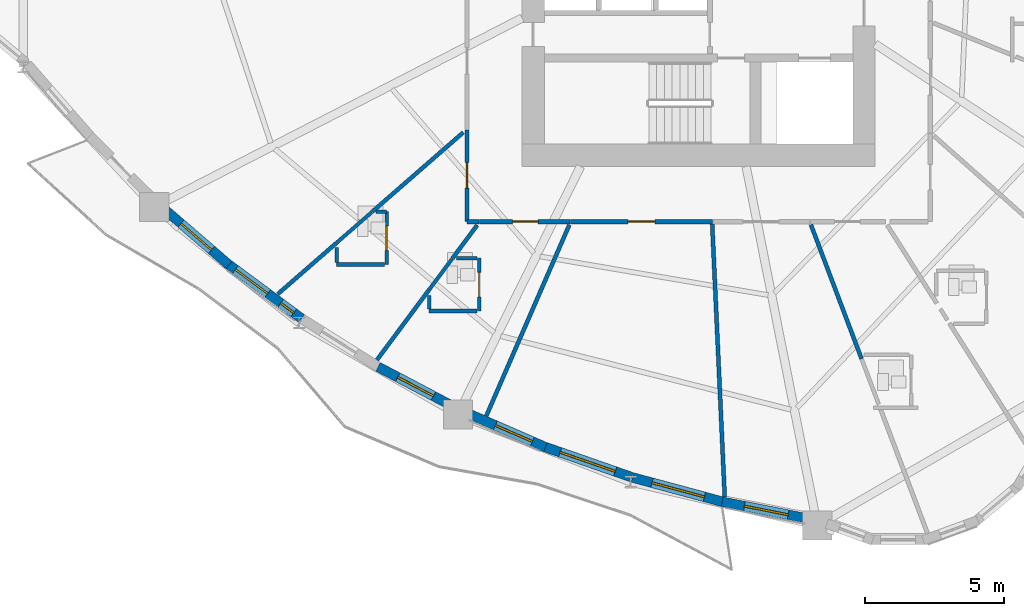
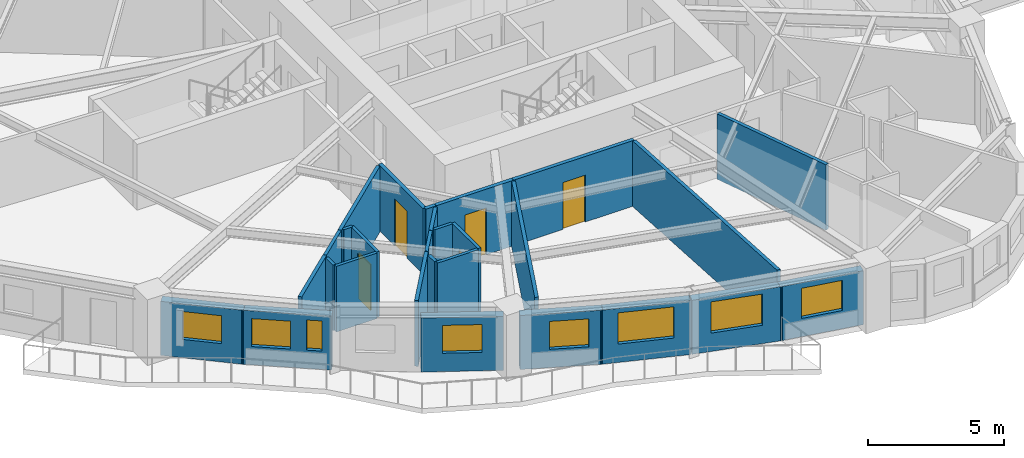
# One storey, part 3 of 15: 28 walls, 8 windows, 5 doors, 13 openings.
"""IFC4 building model written with IfcOpenShell, lengths in metres."""

from ifc_helpers import new_model, si_unit, direction, frame, frame_2d, origin, place, context, subcontext, project, spatial, rectangle, extrude, source, transform, mapped, material, layer, layer_set, type_object, element, fill, save


model = new_model("IFC4")

# Units and contexts
model_context = context("Model", 3, precision=1e-05, world=origin(), true_north=direction((0.0, 1.0)))
body_context = subcontext(model_context, "Body", "Model", "MODEL_VIEW")
ifc_project = project(units=[si_unit("LENGTHUNIT", "METRE"), si_unit("AREAUNIT", "SQUARE_METRE"), si_unit("VOLUMEUNIT", "CUBIC_METRE"), si_unit("PLANEANGLEUNIT", "RADIAN"), si_unit("MASSUNIT", "GRAM", prefix="KILO")], contexts=[model_context])

# Site, building, storey
site_placement = place(None, origin())
site = spatial("IfcSite", under=ifc_project, at=site_placement, CompositionType="ELEMENT")
building_placement = place(site_placement, origin())
building = spatial("IfcBuilding", under=site, at=building_placement, Name="Qafzar Sky-Pleat Residences", CompositionType="ELEMENT")
storey_placement = place(building_placement, frame((0.0, 0.0, 36.60009765625)))
storey = spatial("IfcBuildingStorey", under=building, at=storey_placement, Name="L10", CompositionType="ELEMENT", Elevation=36.60009765625)

# Wall, opening, door
ifc_material_1 = material(Name="Acoustic gypsum plasterboard partition", Category="gypsum")
ifc_layer_1 = layer(ifc_material_1, 0.159912109375)
ifc_layer_set_1 = layer_set([ifc_layer_1], Name="Acoustic gypsum plasterboard partition")
wall_type_1 = type_object("IfcWallType", Name="PART-COR-160", PredefinedType="PARTITIONING", material=ifc_layer_set_1)
wall_1_placement = place(storey_placement, frame((30.84912109375, 15.419921875, 0.0), z_axis=(0.0, 0.0, 1.0), x_axis=(-1.0, 0.0, 0.0)))
wall_1 = element("IfcWall", 1, at=wall_1_placement, inside=storey, type_object=wall_type_1, Name="L10 Partition Wall PART-L10-PW-002", PredefinedType="PARTITIONING", context=body_context, shape_type="SweptSolid", body=[
    extrude(rectangle(XDim=5.114013671875, YDim=0.159912109375, at=frame_2d((2.55712890625, 0.0))), origin(), (0.0, 0.0, 1.0), 2.93994140625),
])
opening_1_placement = place(wall_1_placement, frame((2.075927734375, 0.0, 0.0)))
opening_1 = element("IfcOpeningElement", 2, at=opening_1_placement, cuts=wall_1, Name="Opening ID-06", PredefinedType="OPENING", context=body_context, shape_type="SweptSolid", body=[
    extrude(rectangle(XDim=0.9599609375, YDim=2.10009765625, at=frame_2d((0.47998046875, 1.050048828125))), frame((0.0, 0.08984375, 0.0), z_axis=(0.0, -1.0, 0.0), x_axis=(1.0, 0.0, 0.0)), (0.0, 0.0, 1.0), 0.179931640625),
])
ifc_material_2 = material(Name="Timber-faced fire door", Category="wood")
door_type_1 = type_object("IfcDoorType", Name="DR-STD-960", OperationType="NOTDEFINED", PredefinedType="DOOR", material=ifc_material_2)
shared_shape_1 = source(origin(), body_context, "Body", "SweptSolid", [
    extrude(rectangle(XDim=0.9599609375, YDim=2.10009765625, at=frame_2d((0.47998046875, 1.050048828125))), frame((0.0, 0.02490234375, 0.0), z_axis=(0.0, -1.0, 0.0), x_axis=(1.0, 0.0, 0.0)), (0.0, 0.0, 1.0), 0.050048828125),
])
door_1_placement = place(opening_1_placement, origin())
door_1 = element("IfcDoor", 3, at=door_1_placement, inside=storey, type_object=door_type_1, Name="L10 Reading Library Door", OperationType="SINGLE_SWING_LEFT", OverallHeight=2.10009765625, OverallWidth=0.9599609375, PredefinedType="DOOR", context=body_context, shape_type="MappedRepresentation", body=[
    mapped(shared_shape_1, transform((0.0, 0.0, 0.0), x_axis=(1.0, 0.0, 0.0), y_axis=(0.0, 1.0, 0.0), z_axis=(0.0, 0.0, 1.0), scale=1.0)),
])
fill(opening_1, door_1)

wall_2_placement = place(storey_placement, frame((22.02001953125, 15.419921875, 0.0), z_axis=(0.0, 0.0, 1.0), x_axis=(0.0, 1.0, 0.0)))
wall_2 = element("IfcWall", 4, at=wall_2_placement, inside=storey, type_object=wall_type_1, Name="L10 Partition Wall PART-L10-PW-008", PredefinedType="PARTITIONING", context=body_context, shape_type="SweptSolid", body=[
    extrude(rectangle(XDim=3.287109375, YDim=0.159912109375, at=frame_2d((1.6435546875, 0.0))), origin(), (0.0, 0.0, 1.0), 2.93994140625),
])
opening_2_placement = place(wall_2_placement, frame((1.200927734375, 0.0, 0.0)))
opening_2 = element("IfcOpeningElement", 5, at=opening_2_placement, cuts=wall_2, Name="Opening ID-04", PredefinedType="OPENING", context=body_context, shape_type="SweptSolid", body=[
    extrude(rectangle(XDim=0.919921875, YDim=2.10009765625, at=frame_2d((0.4599609375, 1.050048828125))), frame((0.0, 0.08984375, 0.0), z_axis=(0.0, -1.0, 0.0), x_axis=(1.0, 0.0, 0.0)), (0.0, 0.0, 1.0), 0.179931640625),
])
door_type_2 = type_object("IfcDoorType", Name="DR-BED-920", OperationType="NOTDEFINED", PredefinedType="DOOR", material=ifc_material_2)
shared_shape_2 = source(origin(), body_context, "Body", "SweptSolid", [
    extrude(rectangle(XDim=0.919921875, YDim=2.10009765625, at=frame_2d((0.4599609375, 1.050048828125))), frame((0.0, 0.02490234375, 0.0), z_axis=(0.0, -1.0, 0.0), x_axis=(1.0, 0.0, 0.0)), (0.0, 0.0, 1.0), 0.050048828125),
])
door_2_placement = place(opening_2_placement, origin())
door_2 = element("IfcDoor", 6, at=door_2_placement, inside=storey, type_object=door_type_2, Name="L10 Co-Living Bedroom 1 Door", OperationType="SINGLE_SWING_LEFT", OverallHeight=2.10009765625, OverallWidth=0.919921875, PredefinedType="DOOR", context=body_context, shape_type="MappedRepresentation", body=[
    mapped(shared_shape_2, transform((0.0, 0.0, 0.0), x_axis=(1.0, 0.0, 0.0), y_axis=(0.0, 1.0, 0.0), z_axis=(0.0, 0.0, 1.0), scale=1.0)),
])
fill(opening_2, door_2)

wall_3_placement = place(storey_placement, frame((25.719970703125, 15.419921875, 0.0), z_axis=(0.0, 0.0, 1.0), x_axis=(-1.0, 0.0, 0.0)))
wall_3 = element("IfcWall", 7, at=wall_3_placement, inside=storey, type_object=wall_type_1, Name="L10 Partition Wall PART-L10-PW-009", PredefinedType="PARTITIONING", context=body_context, shape_type="SweptSolid", body=[
    extrude(rectangle(XDim=3.257080078125, YDim=0.159912109375, at=frame_2d((1.62841796875, 0.0))), origin(), (0.0, 0.0, 1.0), 2.93994140625),
])
opening_3_placement = place(wall_3_placement, frame((1.14306640625, 0.0, 0.0)))
opening_3 = element("IfcOpeningElement", 8, at=opening_3_placement, cuts=wall_3, Name="Opening ID-04", PredefinedType="OPENING", context=body_context, shape_type="SweptSolid", body=[
    extrude(rectangle(XDim=0.919921875, YDim=2.10009765625, at=frame_2d((0.4599609375, 1.050048828125))), frame((0.0, 0.08984375, 0.0), z_axis=(0.0, -1.0, 0.0), x_axis=(1.0, 0.0, 0.0)), (0.0, 0.0, 1.0), 0.179931640625),
])
door_3_placement = place(opening_3_placement, origin())
door_3 = element("IfcDoor", 9, at=door_3_placement, inside=storey, type_object=door_type_2, Name="L10 Co-Living Bedroom 2 Door", OperationType="SINGLE_SWING_RIGHT", OverallHeight=2.10009765625, OverallWidth=0.919921875, PredefinedType="DOOR", context=body_context, shape_type="MappedRepresentation", body=[
    mapped(shared_shape_2, transform((0.0, 0.0, 0.0), x_axis=(1.0, 0.0, 0.0), y_axis=(0.0, 1.0, 0.0), z_axis=(0.0, 0.0, 1.0), scale=1.0)),
])
fill(opening_3, door_3)

# Walls
wall_4_placement = place(storey_placement, frame((22.02001953125, 15.419921875, 0.0), z_axis=(0.0, 0.0, 1.0), x_axis=(1.0, 0.0, 0.0)))
element("IfcWall", 10, at=wall_4_placement, inside=storey, type_object=wall_type_1, Name="L10 Partition Wall PART-L10-PW-112", PredefinedType="PARTITIONING", context=body_context, shape_type="SweptSolid", body=[
    extrude(rectangle(XDim=0.427978515625, YDim=0.159912109375, at=frame_2d((0.2138671875, 0.0))), origin(), (0.0, 0.0, 1.0), 2.93994140625),
])
ifc_layer_2 = layer(ifc_material_1, 0.14501953125)
ifc_layer_set_2 = layer_set([ifc_layer_2], Name="Acoustic gypsum plasterboard partition")
wall_type_2 = type_object("IfcWallType", Name="PART-UNIT-145", PredefinedType="PARTITIONING", material=ifc_layer_set_2)
wall_5_placement = place(storey_placement, frame((30.838134765625, 15.32861328125, 0.0), z_axis=(0.0, 0.0, 1.0), x_axis=(0.045777414824, -0.998951664642, 0.0)))
element("IfcWall", 11, at=wall_5_placement, inside=storey, type_object=wall_type_2, Name="L10 Partition Wall PART-L10-PW-041", PredefinedType="PARTITIONING", context=body_context, shape_type="SweptSolid", body=[
    extrude(rectangle(XDim=9.82373046875, YDim=0.14501953125, at=frame_2d((4.911865234375, 0.0))), origin(), (0.0, 0.0, 1.0), 2.93994140625),
])
wall_6_placement = place(storey_placement, frame((22.71337890625, 8.428955078125, 0.0), z_axis=(0.0, 0.0, 1.0), x_axis=(0.398615352261, 0.917118204454, 0.0)))
element("IfcWall", 12, at=wall_6_placement, inside=storey, type_object=wall_type_2, Name="L10 Partition Wall PART-L10-PW-045", PredefinedType="PARTITIONING", context=body_context, shape_type="SweptSolid", body=[
    extrude(rectangle(XDim=7.49609375, YDim=0.14501953125, at=frame_2d((3.748046875, 0.0))), origin(), (0.0, 0.0, 1.0), 2.93994140625),
])
wall_7_placement = place(storey_placement, frame((34.3876953125, 15.306884765625, 0.0), z_axis=(0.0, 0.0, 1.0), x_axis=(0.353313944469, -0.935504813801, 0.0)))
element("IfcWall", 13, at=wall_7_placement, inside=storey, type_object=wall_type_2, Name="L10 Partition Wall PART-L10-PW-050", PredefinedType="PARTITIONING", context=body_context, shape_type="SweptSolid", body=[
    extrude(rectangle(XDim=5.152099609375, YDim=0.14501953125, at=frame_2d((2.576171875, 0.0))), origin(), (0.0, 0.0, 1.0), 2.93994140625),
])
wall_8_placement = place(storey_placement, frame((18.614013671875, 15.77392578125, 0.0), z_axis=(0.0, 0.0, 1.0), x_axis=(0.753902736672, 0.656986045239, 0.0)))
element("IfcWall", 14, at=wall_8_placement, inside=storey, type_object=wall_type_2, Name="L10 Partition Wall PART-L10-PW-052", PredefinedType="PARTITIONING", context=body_context, shape_type="SweptSolid", body=[
    extrude(rectangle(XDim=4.34033203125, YDim=0.14501953125, at=frame_2d((2.170166015625, 0.0))), origin(), (0.0, 0.0, 1.0), 2.93994140625),
])
wall_9_placement = place(storey_placement, frame((18.782958984375, 10.447021484375, 0.0), z_axis=(0.0, 0.0, 1.0), x_axis=(0.596791765516, 0.80239615441, 0.0)))
element("IfcWall", 15, at=wall_9_placement, inside=storey, type_object=wall_type_2, Name="L10 Partition Wall PART-L10-PW-061", PredefinedType="PARTITIONING", context=body_context, shape_type="SweptSolid", body=[
    extrude(rectangle(XDim=3.17041015625, YDim=0.14501953125, at=frame_2d((1.585205078125, 0.0))), origin(), (0.0, 0.0, 1.0), 2.93994140625),
])
wall_10_placement = place(storey_placement, frame((15.215087890625, 12.811767578125, 0.0), z_axis=(0.0, 0.0, 1.0), x_axis=(0.753874404049, 0.657018555993, 0.0)))
element("IfcWall", 16, at=wall_10_placement, inside=storey, type_object=wall_type_2, Name="L10 Partition Wall PART-L10-PW-063", PredefinedType="PARTITIONING", context=body_context, shape_type="SweptSolid", body=[
    extrude(rectangle(XDim=2.805419921875, YDim=0.14501953125, at=frame_2d((1.40283203125, 0.0))), origin(), (0.0, 0.0, 1.0), 2.93994140625),
])
wall_11_placement = place(storey_placement, frame((21.490966796875, 14.087890625, 0.0), z_axis=(0.0, 0.0, 1.0), x_axis=(0.596893728005, 0.802320308523, 0.0)))
element("IfcWall", 17, at=wall_11_placement, inside=storey, type_object=wall_type_2, Name="L10 Partition Wall PART-L10-PW-085", PredefinedType="PARTITIONING", context=body_context, shape_type="SweptSolid", body=[
    extrude(rectangle(XDim=1.49853515625, YDim=0.14501953125, at=frame_2d((0.749267578125, 0.0))), origin(), (0.0, 0.0, 1.0), 2.93994140625),
])

# Wall, opening, door
ifc_material_3 = material(Name="Moisture-resistant gypsum partition", Category="gypsum")
ifc_layer_3 = layer(ifc_material_3, 0.1298828125)
ifc_layer_set_3 = layer_set([ifc_layer_3], Name="Moisture-resistant gypsum partition")
wall_type_3 = type_object("IfcWallType", Name="PART-WET-130", PredefinedType="PARTITIONING", material=ifc_layer_set_3)
wall_12_placement = place(storey_placement, frame((22.4599609375, 12.202880859375, 0.0), z_axis=(0.0, 0.0, 1.0), x_axis=(0.0, 1.0, 0.0)))
wall_12 = element("IfcWall", 18, at=wall_12_placement, inside=storey, type_object=wall_type_3, Name="L10 Partition Wall PART-L10-PW-021", PredefinedType="PARTITIONING", context=body_context, shape_type="SweptSolid", body=[
    extrude(rectangle(XDim=1.900146484375, YDim=0.1298828125, at=frame_2d((0.9501953125, 0.0))), origin(), (0.0, 0.0, 1.0), 2.93994140625),
])
opening_4_placement = place(wall_12_placement, frame((0.510009765625, 0.0, 0.0)))
opening_4 = element("IfcOpeningElement", 19, at=opening_4_placement, cuts=wall_12, Name="Opening ID-07", PredefinedType="OPENING", context=body_context, shape_type="SweptSolid", body=[
    extrude(rectangle(XDim=0.8798828125, YDim=2.050048828125, at=frame_2d((0.43994140625, 1.02490234375))), frame((0.0, 0.074951171875, 0.0), z_axis=(0.0, -1.0, 0.0), x_axis=(1.0, 0.0, 0.0)), (0.0, 0.0, 1.0), 0.14990234375),
])
door_type_3 = type_object("IfcDoorType", Name="DR-WET-880", OperationType="NOTDEFINED", PredefinedType="DOOR", material=ifc_material_2)
shared_shape_3 = source(origin(), body_context, "Body", "SweptSolid", [
    extrude(rectangle(XDim=0.8798828125, YDim=2.050048828125, at=frame_2d((0.43994140625, 1.02490234375))), frame((0.0, 0.02490234375, 0.0), z_axis=(0.0, -1.0, 0.0), x_axis=(1.0, 0.0, 0.0)), (0.0, 0.0, 1.0), 0.050048828125),
])
door_4_placement = place(opening_4_placement, origin())
door_4 = element("IfcDoor", 20, at=door_4_placement, inside=storey, type_object=door_type_3, Name="L10 En-suite Bathroom 2 Door", OperationType="SINGLE_SWING_LEFT", OverallHeight=2.050048828125, OverallWidth=0.8798828125, PredefinedType="DOOR", context=body_context, shape_type="MappedRepresentation", body=[
    mapped(shared_shape_3, transform((0.0, 0.0, 0.0), x_axis=(1.0, 0.0, 0.0), y_axis=(0.0, 1.0, 0.0), z_axis=(0.0, 0.0, 1.0), scale=1.0)),
])
fill(opening_4, door_4)

wall_13_placement = place(storey_placement, frame((19.1298828125, 13.8740234375, 0.0), z_axis=(0.0, 0.0, 1.0), x_axis=(0.0, 1.0, 0.0)))
wall_13 = element("IfcWall", 21, at=wall_13_placement, inside=storey, type_object=wall_type_3, Name="L10 Partition Wall PART-L10-PW-024", PredefinedType="PARTITIONING", context=body_context, shape_type="SweptSolid", body=[
    extrude(rectangle(XDim=1.89990234375, YDim=0.1298828125, at=frame_2d((0.949951171875, 0.0))), origin(), (0.0, 0.0, 1.0), 2.93994140625),
])
opening_5_placement = place(wall_13_placement, frame((0.510009765625, 0.0, 0.0)))
opening_5 = element("IfcOpeningElement", 22, at=opening_5_placement, cuts=wall_13, Name="Opening ID-07", PredefinedType="OPENING", context=body_context, shape_type="SweptSolid", body=[
    extrude(rectangle(XDim=0.8798828125, YDim=2.050048828125, at=frame_2d((0.43994140625, 1.02490234375))), frame((0.0, 0.074951171875, 0.0), z_axis=(0.0, -1.0, 0.0), x_axis=(1.0, 0.0, 0.0)), (0.0, 0.0, 1.0), 0.14990234375),
])
door_5_placement = place(opening_5_placement, origin())
door_5 = element("IfcDoor", 23, at=door_5_placement, inside=storey, type_object=door_type_3, Name="L10 En-suite Bathroom 1 Door", OperationType="SINGLE_SWING_RIGHT", OverallHeight=2.050048828125, OverallWidth=0.8798828125, PredefinedType="DOOR", context=body_context, shape_type="MappedRepresentation", body=[
    mapped(shared_shape_3, transform((0.0, 0.0, 0.0), x_axis=(1.0, 0.0, 0.0), y_axis=(0.0, 1.0, 0.0), z_axis=(0.0, 0.0, 1.0), scale=1.0)),
])
fill(opening_5, door_5)

# Walls
wall_14_placement = place(storey_placement, frame((17.330078125, 13.8740234375, 0.0), z_axis=(0.0, 0.0, 1.0), x_axis=(1.0, 0.0, 0.0)))
element("IfcWall", 24, at=wall_14_placement, inside=storey, type_object=wall_type_3, Name="L10 Partition Wall PART-L10-PW-077", PredefinedType="PARTITIONING", context=body_context, shape_type="SweptSolid", body=[
    extrude(rectangle(XDim=1.726806640625, YDim=0.1298828125, at=frame_2d((0.86328125, 0.0))), origin(), (0.0, 0.0, 1.0), 2.93994140625),
])
wall_15_placement = place(storey_placement, frame((20.659912109375, 12.202880859375, 0.0), z_axis=(0.0, 0.0, 1.0), x_axis=(1.0, 0.0, 0.0)))
element("IfcWall", 25, at=wall_15_placement, inside=storey, type_object=wall_type_3, Name="L10 Partition Wall PART-L10-PW-078", PredefinedType="PARTITIONING", context=body_context, shape_type="SweptSolid", body=[
    extrude(rectangle(XDim=1.72705078125, YDim=0.1298828125, at=frame_2d((0.863525390625, 0.0))), origin(), (0.0, 0.0, 1.0), 2.93994140625),
])
wall_16_placement = place(storey_placement, frame((17.34130859375, 14.664794921875, 0.0), z_axis=(0.0, 0.0, 1.0), x_axis=(0.753885757535, 0.657005528581, 0.0)))
element("IfcWall", 26, at=wall_16_placement, inside=storey, type_object=wall_type_3, Name="L10 Partition Wall PART-L10-PW-083", PredefinedType="PARTITIONING", context=body_context, shape_type="SweptSolid", body=[
    extrude(rectangle(XDim=1.67333984375, YDim=0.1298828125, at=frame_2d((0.836669921875, 0.0))), origin(), (0.0, 0.0, 1.0), 2.93994140625),
])
wall_17_placement = place(storey_placement, frame((20.68408203125, 13.002685546875, 0.0), z_axis=(0.0, 0.0, 1.0), x_axis=(0.596518903615, 0.802599026681, 0.0)))
element("IfcWall", 27, at=wall_17_placement, inside=storey, type_object=wall_type_3, Name="L10 Partition Wall PART-L10-PW-091", PredefinedType="PARTITIONING", context=body_context, shape_type="SweptSolid", body=[
    extrude(rectangle(XDim=1.33740234375, YDim=0.1298828125, at=frame_2d((0.668701171875, 0.0))), origin(), (0.0, 0.0, 1.0), 2.93994140625),
])
wall_18_placement = place(storey_placement, frame((21.648681640625, 14.10302734375, 0.0), z_axis=(0.0, 0.0, 1.0), x_axis=(1.0, 0.0, 0.0)))
element("IfcWall", 28, at=wall_18_placement, inside=storey, type_object=wall_type_3, Name="L10 Partition Wall PART-L10-PW-102", PredefinedType="PARTITIONING", context=body_context, shape_type="SweptSolid", body=[
    extrude(rectangle(XDim=0.73828125, YDim=0.1298828125, at=frame_2d((0.369140625, 0.0))), origin(), (0.0, 0.0, 1.0), 2.93994140625),
])
wall_19_placement = place(storey_placement, frame((17.330078125, 13.947021484375, 0.0), z_axis=(0.0, 0.0, 1.0), x_axis=(0.0, 1.0, 0.0)))
element("IfcWall", 29, at=wall_19_placement, inside=storey, type_object=wall_type_3, Name="L10 Partition Wall PART-L10-PW-106", PredefinedType="PARTITIONING", context=body_context, shape_type="SweptSolid", body=[
    extrude(rectangle(XDim=0.547119140625, YDim=0.1298828125, at=frame_2d((0.2734375, 0.0))), origin(), (0.0, 0.0, 1.0), 2.93994140625),
])
wall_20_placement = place(storey_placement, frame((20.659912109375, 12.27587890625, 0.0), z_axis=(0.0, 0.0, 1.0), x_axis=(0.0, 1.0, 0.0)))
element("IfcWall", 30, at=wall_20_placement, inside=storey, type_object=wall_type_3, Name="L10 Partition Wall PART-L10-PW-107", PredefinedType="PARTITIONING", context=body_context, shape_type="SweptSolid", body=[
    extrude(rectangle(XDim=0.478271484375, YDim=0.1298828125, at=frame_2d((0.2392578125, 0.0))), origin(), (0.0, 0.0, 1.0), 2.93994140625),
])
wall_21_placement = place(storey_placement, frame((18.7490234375, 15.77392578125, 0.0), z_axis=(0.0, 0.0, 1.0), x_axis=(1.0, 0.0, 0.0)))
element("IfcWall", 31, at=wall_21_placement, inside=storey, type_object=wall_type_3, Name="L10 Partition Wall PART-L10-PW-109", PredefinedType="PARTITIONING", context=body_context, shape_type="SweptSolid", body=[
    extrude(rectangle(XDim=0.380859375, YDim=0.1298828125, at=frame_2d((0.1904296875, 0.0))), origin(), (0.0, 0.0, 1.0), 2.93994140625),
])

# Wall, opening, window
ifc_material_4 = material(Name="Precast concrete C40/50 with honed Riyadh limestone", Category="concrete")
ifc_layer_4 = layer(ifc_material_4, 0.35009765625)
ifc_layer_set_4 = layer_set([ifc_layer_4], Name="Precast concrete C40/50 with honed Riyadh limestone")
wall_type_4 = type_object("IfcWallType", Name="WALL-EXT-350", PredefinedType="SOLIDWALL", material=ifc_layer_set_4)
wall_22_placement = place(storey_placement, frame((11.11474609375, 15.880859375, 0.0), z_axis=(0.0, 0.0, 1.0), x_axis=(0.757448984216, -0.6528943531, 0.0)))
wall_22 = element("IfcWall", 32, at=wall_22_placement, inside=storey, type_object=wall_type_4, Name="L10 Limestone Facade Wall 9", PredefinedType="SOLIDWALL", context=body_context, shape_type="SweptSolid", body=[
    extrude(rectangle(XDim=3.093994140625, YDim=0.35009765625, at=frame_2d((1.546875, 0.0))), origin(), (0.0, 0.0, 1.0), 2.419921875),
])
opening_6_placement = place(wall_22_placement, frame((0.81689453125, 0.0, 0.820068359375)))
opening_6 = element("IfcOpeningElement", 33, at=opening_6_placement, cuts=wall_22, Name="Opening WN-15", PredefinedType="OPENING", context=body_context, shape_type="SweptSolid", body=[
    extrude(rectangle(XDim=1.449951171875, YDim=1.25, at=frame_2d((0.72509765625, 0.625))), frame((0.0, 0.18505859375, 0.0), z_axis=(0.0, -1.0, 0.0), x_axis=(1.0, 0.0, 0.0)), (0.0, 0.0, 1.0), 0.3701171875),
])
ifc_material_5 = material(Name="Solar-control low-E glass in bronze aluminium frame", Category="glass")
window_type_1 = type_object("IfcWindowType", Name="WIN-15", PartitioningType="SINGLE_PANEL", PredefinedType="WINDOW", material=ifc_material_5)
shared_shape_4 = source(origin(), body_context, "Body", "SweptSolid", [
    extrude(rectangle(XDim=1.449951171875, YDim=1.25, at=frame_2d((0.72509765625, 0.625))), frame((0.0, 0.030029296875, 0.0), z_axis=(0.0, -1.0, 0.0), x_axis=(1.0, 0.0, 0.0)), (0.0, 0.0, 1.0), 0.06005859375),
])
window_1_placement = place(opening_6_placement, origin())
window_1 = element("IfcWindow", 34, at=window_1_placement, inside=storey, type_object=window_type_1, Name="L10 Punched Facade Window 09", OverallHeight=1.25, OverallWidth=1.449951171875, PartitioningType="SINGLE_PANEL", PredefinedType="WINDOW", context=body_context, shape_type="MappedRepresentation", body=[
    mapped(shared_shape_4, transform((0.0, 0.0, 0.0), x_axis=(1.0, 0.0, 0.0), y_axis=(0.0, 1.0, 0.0), z_axis=(0.0, 0.0, 1.0), scale=1.0)),
])
fill(opening_6, window_1)

# Wall, openings, windows
wall_23_placement = place(storey_placement, frame((13.388916015625, 13.91650390625, 0.0), z_axis=(0.0, 0.0, 1.0), x_axis=(0.803777512245, -0.594930004966, 0.0)))
wall_23 = element("IfcWall", 35, at=wall_23_placement, inside=storey, type_object=wall_type_4, Name="L10 Limestone Facade Wall 10", PredefinedType="SOLIDWALL", context=body_context, shape_type="SweptSolid", body=[
    extrude(rectangle(XDim=3.336181640625, YDim=0.35009765625, at=frame_2d((1.66796875, 0.0))), origin(), (0.0, 0.0, 1.0), 2.419921875),
])
opening_7_placement = place(wall_23_placement, frame((0.373779296875, 0.0, 0.820068359375)))
opening_7 = element("IfcOpeningElement", 36, at=opening_7_placement, cuts=wall_23, Name="Opening WN-15", PredefinedType="OPENING", context=body_context, shape_type="SweptSolid", body=[
    extrude(rectangle(XDim=1.449951171875, YDim=1.25, at=frame_2d((0.72509765625, 0.625))), frame((0.0, 0.18505859375, 0.0), z_axis=(0.0, -1.0, 0.0), x_axis=(1.0, 0.0, 0.0)), (0.0, 0.0, 1.0), 0.3701171875),
])
opening_8_placement = place(wall_23_placement, frame((2.406982421875, 0.0, 0.820068359375)))
opening_8 = element("IfcOpeningElement", 37, at=opening_8_placement, cuts=wall_23, Name="Opening WN-17", PredefinedType="OPENING", context=body_context, shape_type="SweptSolid", body=[
    extrude(rectangle(XDim=0.580078125, YDim=1.35009765625, at=frame_2d((0.2900390625, 0.675048828125))), frame((0.0, 0.18505859375, 0.0), z_axis=(0.0, -1.0, 0.0), x_axis=(1.0, 0.0, 0.0)), (0.0, 0.0, 1.0), 0.3701171875),
])
window_2_placement = place(opening_7_placement, origin())
window_2 = element("IfcWindow", 38, at=window_2_placement, inside=storey, type_object=window_type_1, Name="L10 Punched Facade Window 10", OverallHeight=1.25, OverallWidth=1.449951171875, PartitioningType="SINGLE_PANEL", PredefinedType="WINDOW", context=body_context, shape_type="MappedRepresentation", body=[
    mapped(shared_shape_4, transform((0.0, 0.0, 0.0), x_axis=(1.0, 0.0, 0.0), y_axis=(0.0, 1.0, 0.0), z_axis=(0.0, 0.0, 1.0), scale=1.0)),
])
fill(opening_7, window_2)
window_type_2 = type_object("IfcWindowType", Name="WIN-17", PartitioningType="SINGLE_PANEL", PredefinedType="WINDOW", material=ifc_material_5)
shared_shape_5 = source(origin(), body_context, "Body", "SweptSolid", [
    extrude(rectangle(XDim=0.580078125, YDim=1.35009765625, at=frame_2d((0.2900390625, 0.675048828125))), frame((0.0, 0.030029296875, 0.0), z_axis=(0.0, -1.0, 0.0), x_axis=(1.0, 0.0, 0.0)), (0.0, 0.0, 1.0), 0.06005859375),
])
window_3_placement = place(opening_8_placement, origin())
window_3 = element("IfcWindow", 39, at=window_3_placement, inside=storey, type_object=window_type_2, Name="L10 Punched Facade Window 10-2", OverallHeight=1.35009765625, OverallWidth=0.580078125, PartitioningType="SINGLE_PANEL", PredefinedType="WINDOW", context=body_context, shape_type="MappedRepresentation", body=[
    mapped(shared_shape_5, transform((0.0, 0.0, 0.0), x_axis=(1.0, 0.0, 0.0), y_axis=(0.0, 1.0, 0.0), z_axis=(0.0, 0.0, 1.0), scale=1.0)),
])
fill(opening_8, window_3)

# Wall, opening, window
wall_24_placement = place(storey_placement, frame((18.8232421875, 10.194580078125, 0.0), z_axis=(0.0, 0.0, 1.0), x_axis=(0.884422538795, -0.466687018108, 0.0)))
wall_24 = element("IfcWall", 40, at=wall_24_placement, inside=storey, type_object=wall_type_4, Name="L10 Limestone Facade Wall 12", PredefinedType="SOLIDWALL", context=body_context, shape_type="SweptSolid", body=[
    extrude(rectangle(XDim=3.037353515625, YDim=0.35009765625, at=frame_2d((1.5185546875, 0.0))), origin(), (0.0, 0.0, 1.0), 2.419921875),
])
opening_9_placement = place(wall_24_placement, frame((0.798583984375, 0.0, 0.820068359375)))
opening_9 = element("IfcOpeningElement", 41, at=opening_9_placement, cuts=wall_24, Name="Opening WN-15", PredefinedType="OPENING", context=body_context, shape_type="SweptSolid", body=[
    extrude(rectangle(XDim=1.449951171875, YDim=1.25, at=frame_2d((0.72509765625, 0.625))), frame((0.0, 0.18505859375, 0.0), z_axis=(0.0, -1.0, 0.0), x_axis=(1.0, 0.0, 0.0)), (0.0, 0.0, 1.0), 0.3701171875),
])
window_4_placement = place(opening_9_placement, origin())
window_4 = element("IfcWindow", 42, at=window_4_placement, inside=storey, type_object=window_type_1, Name="L10 Punched Facade Window 12", OverallHeight=1.25, OverallWidth=1.449951171875, PartitioningType="SINGLE_PANEL", PredefinedType="WINDOW", context=body_context, shape_type="MappedRepresentation", body=[
    mapped(shared_shape_4, transform((0.0, 0.0, 0.0), x_axis=(1.0, 0.0, 0.0), y_axis=(0.0, 1.0, 0.0), z_axis=(0.0, 0.0, 1.0), scale=1.0)),
])
fill(opening_9, window_4)

wall_25_placement = place(storey_placement, frame((22.0380859375, 8.523193359375, 0.0), z_axis=(0.0, 0.0, 1.0), x_axis=(0.91704973522, -0.398772846535, 0.0)))
wall_25 = element("IfcWall", 43, at=wall_25_placement, inside=storey, type_object=wall_type_4, Name="L10 Limestone Facade Wall 13", PredefinedType="SOLIDWALL", context=body_context, shape_type="SweptSolid", body=[
    extrude(rectangle(XDim=3.05615234375, YDim=0.35009765625, at=frame_2d((1.528076171875, 0.0))), origin(), (0.0, 0.0, 1.0), 2.419921875),
])
opening_10_placement = place(wall_25_placement, frame((1.091796875, 0.0, 0.820068359375)))
opening_10 = element("IfcOpeningElement", 44, at=opening_10_placement, cuts=wall_25, Name="Opening WN-15", PredefinedType="OPENING", context=body_context, shape_type="SweptSolid", body=[
    extrude(rectangle(XDim=1.449951171875, YDim=1.25, at=frame_2d((0.72509765625, 0.625))), frame((0.0, 0.18505859375, 0.0), z_axis=(0.0, -1.0, 0.0), x_axis=(1.0, 0.0, 0.0)), (0.0, 0.0, 1.0), 0.3701171875),
])
window_5_placement = place(opening_10_placement, origin())
window_5 = element("IfcWindow", 45, at=window_5_placement, inside=storey, type_object=window_type_1, Name="L10 Punched Facade Window 13-2", OverallHeight=1.25, OverallWidth=1.449951171875, PartitioningType="SINGLE_PANEL", PredefinedType="WINDOW", context=body_context, shape_type="MappedRepresentation", body=[
    mapped(shared_shape_4, transform((0.0, 0.0, 0.0), x_axis=(1.0, 0.0, 0.0), y_axis=(0.0, 1.0, 0.0), z_axis=(0.0, 0.0, 1.0), scale=1.0)),
])
fill(opening_10, window_5)

wall_26_placement = place(storey_placement, frame((24.758056640625, 7.3369140625, 0.0), z_axis=(0.0, 0.0, 1.0), x_axis=(0.944146789085, -0.329525174547, 0.0)))
wall_26 = element("IfcWall", 46, at=wall_26_placement, inside=storey, type_object=wall_type_4, Name="L10 Limestone Facade Wall 14", PredefinedType="SOLIDWALL", context=body_context, shape_type="SweptSolid", body=[
    extrude(rectangle(XDim=3.3740234375, YDim=0.35009765625, at=frame_2d((1.68701171875, 0.0))), origin(), (0.0, 0.0, 1.0), 2.419921875),
])
opening_11_placement = place(wall_26_placement, frame((0.64697265625, 0.0, 0.820068359375)))
opening_11 = element("IfcOpeningElement", 47, at=opening_11_placement, cuts=wall_26, Name="Opening WN-07", PredefinedType="OPENING", context=body_context, shape_type="SweptSolid", body=[
    extrude(rectangle(XDim=2.10009765625, YDim=1.39990234375, at=frame_2d((1.050048828125, 0.699951171875))), frame((0.0, 0.18505859375, 0.0), z_axis=(0.0, -1.0, 0.0), x_axis=(1.0, 0.0, 0.0)), (0.0, 0.0, 1.0), 0.3701171875),
])
window_type_3 = type_object("IfcWindowType", Name="WIN-07", PartitioningType="DOUBLE_PANEL_VERTICAL", PredefinedType="WINDOW", material=ifc_material_5)
shared_shape_6 = source(origin(), body_context, "Body", "SweptSolid", [
    extrude(rectangle(XDim=2.10009765625, YDim=1.39990234375, at=frame_2d((1.050048828125, 0.699951171875))), frame((0.0, 0.030029296875, 0.0), z_axis=(0.0, -1.0, 0.0), x_axis=(1.0, 0.0, 0.0)), (0.0, 0.0, 1.0), 0.06005859375),
])
window_6_placement = place(opening_11_placement, origin())
window_6 = element("IfcWindow", 48, at=window_6_placement, inside=storey, type_object=window_type_3, Name="L10 Punched Facade Window 14", OverallHeight=1.39990234375, OverallWidth=2.10009765625, PartitioningType="SINGLE_PANEL", PredefinedType="WINDOW", context=body_context, shape_type="MappedRepresentation", body=[
    mapped(shared_shape_6, transform((0.0, 0.0, 0.0), x_axis=(1.0, 0.0, 0.0), y_axis=(0.0, 1.0, 0.0), z_axis=(0.0, 0.0, 1.0), scale=1.0)),
])
fill(opening_11, window_6)

wall_27_placement = place(storey_placement, frame((27.969482421875, 6.216796875, 0.0), z_axis=(0.0, 0.0, 1.0), x_axis=(0.965465079887, -0.26053249225, 0.0)))
wall_27 = element("IfcWall", 49, at=wall_27_placement, inside=storey, type_object=wall_type_4, Name="L10 Limestone Facade Wall 15", PredefinedType="SOLIDWALL", context=body_context, shape_type="SweptSolid", body=[
    extrude(rectangle(XDim=3.4296875, YDim=0.35009765625, at=frame_2d((1.71484375, 0.0))), origin(), (0.0, 0.0, 1.0), 2.419921875),
])
opening_12_placement = place(wall_27_placement, frame((0.729736328125, 0.0, 0.820068359375)))
opening_12 = element("IfcOpeningElement", 50, at=opening_12_placement, cuts=wall_27, Name="Opening WN-08", PredefinedType="OPENING", context=body_context, shape_type="SweptSolid", body=[
    extrude(rectangle(XDim=1.949951171875, YDim=1.39990234375, at=frame_2d((0.97509765625, 0.699951171875))), frame((0.0, 0.18505859375, 0.0), z_axis=(0.0, -1.0, 0.0), x_axis=(1.0, 0.0, 0.0)), (0.0, 0.0, 1.0), 0.3701171875),
])
window_type_4 = type_object("IfcWindowType", Name="WIN-08", PartitioningType="DOUBLE_PANEL_VERTICAL", PredefinedType="WINDOW", material=ifc_material_5)
shared_shape_7 = source(origin(), body_context, "Body", "SweptSolid", [
    extrude(rectangle(XDim=1.949951171875, YDim=1.39990234375, at=frame_2d((0.97509765625, 0.699951171875))), frame((0.0, 0.030029296875, 0.0), z_axis=(0.0, -1.0, 0.0), x_axis=(1.0, 0.0, 0.0)), (0.0, 0.0, 1.0), 0.06005859375),
])
window_7_placement = place(opening_12_placement, origin())
window_7 = element("IfcWindow", 51, at=window_7_placement, inside=storey, type_object=window_type_4, Name="L10 Punched Facade Window 15", OverallHeight=1.39990234375, OverallWidth=1.949951171875, PartitioningType="SINGLE_PANEL", PredefinedType="WINDOW", context=body_context, shape_type="MappedRepresentation", body=[
    mapped(shared_shape_7, transform((0.0, 0.0, 0.0), x_axis=(1.0, 0.0, 0.0), y_axis=(0.0, 1.0, 0.0), z_axis=(0.0, 0.0, 1.0), scale=1.0)),
])
fill(opening_12, window_7)

wall_28_placement = place(storey_placement, frame((31.195068359375, 5.34326171875, 0.0), z_axis=(0.0, 0.0, 1.0), x_axis=(0.981233720322, -0.192822161858, 0.0)))
wall_28 = element("IfcWall", 52, at=wall_28_placement, inside=storey, type_object=wall_type_4, Name="L10 Limestone Facade Wall 16", PredefinedType="SOLIDWALL", context=body_context, shape_type="SweptSolid", body=[
    extrude(rectangle(XDim=3.222412109375, YDim=0.35009765625, at=frame_2d((1.611328125, 0.0))), origin(), (0.0, 0.0, 1.0), 2.419921875),
])
opening_13_placement = place(wall_28_placement, frame((0.816162109375, 0.0, 0.820068359375)))
opening_13 = element("IfcOpeningElement", 53, at=opening_13_placement, cuts=wall_28, Name="Opening WN-09", PredefinedType="OPENING", context=body_context, shape_type="SweptSolid", body=[
    extrude(rectangle(XDim=1.60009765625, YDim=1.35009765625, at=frame_2d((0.800048828125, 0.675048828125))), frame((0.0, 0.18505859375, 0.0), z_axis=(0.0, -1.0, 0.0), x_axis=(1.0, 0.0, 0.0)), (0.0, 0.0, 1.0), 0.3701171875),
])
window_type_5 = type_object("IfcWindowType", Name="WIN-09", PartitioningType="DOUBLE_PANEL_VERTICAL", PredefinedType="WINDOW", material=ifc_material_5)
shared_shape_8 = source(origin(), body_context, "Body", "SweptSolid", [
    extrude(rectangle(XDim=1.60009765625, YDim=1.35009765625, at=frame_2d((0.800048828125, 0.675048828125))), frame((0.0, 0.030029296875, 0.0), z_axis=(0.0, -1.0, 0.0), x_axis=(1.0, 0.0, 0.0)), (0.0, 0.0, 1.0), 0.06005859375),
])
window_8_placement = place(opening_13_placement, origin())
window_8 = element("IfcWindow", 54, at=window_8_placement, inside=storey, type_object=window_type_5, Name="L10 Punched Facade Window 16", OverallHeight=1.35009765625, OverallWidth=1.60009765625, PartitioningType="SINGLE_PANEL", PredefinedType="WINDOW", context=body_context, shape_type="MappedRepresentation", body=[
    mapped(shared_shape_8, transform((0.0, 0.0, 0.0), x_axis=(1.0, 0.0, 0.0), y_axis=(0.0, 1.0, 0.0), z_axis=(0.0, 0.0, 1.0), scale=1.0)),
])
fill(opening_13, window_8)

save(model, "model.ifc")
